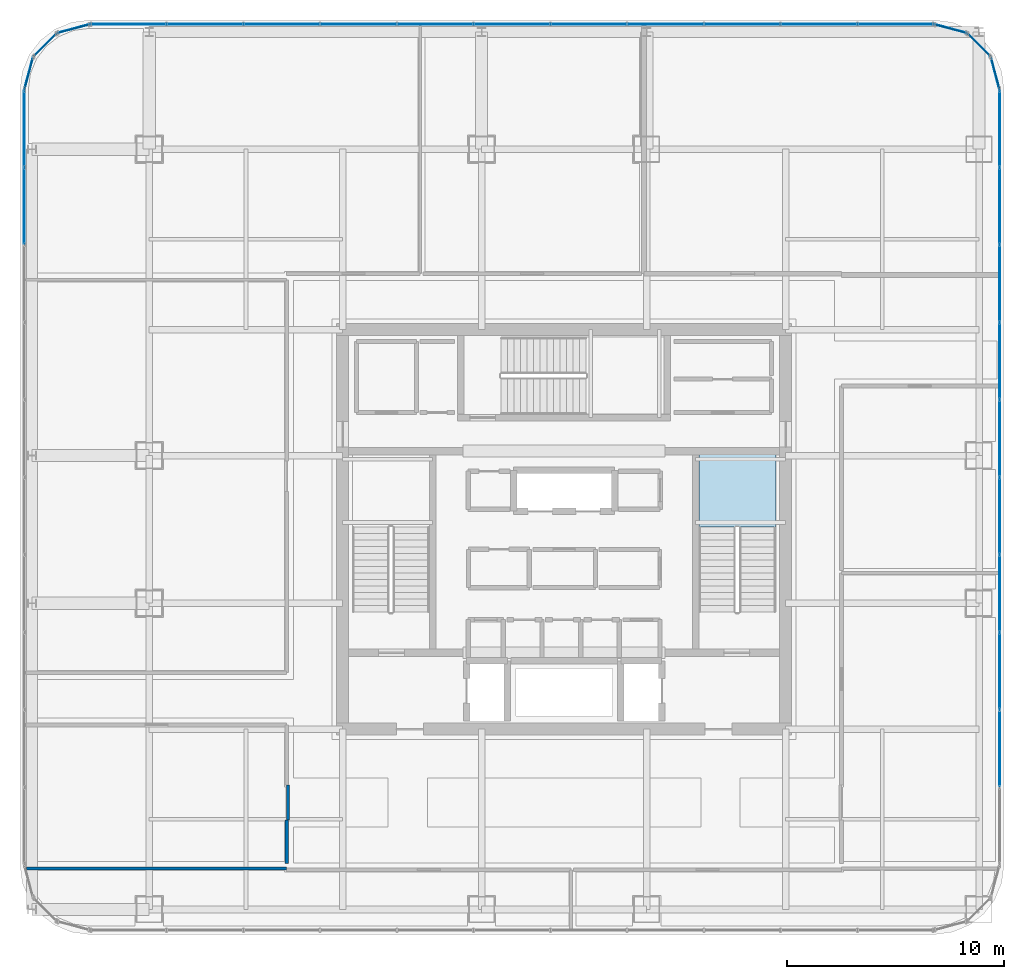
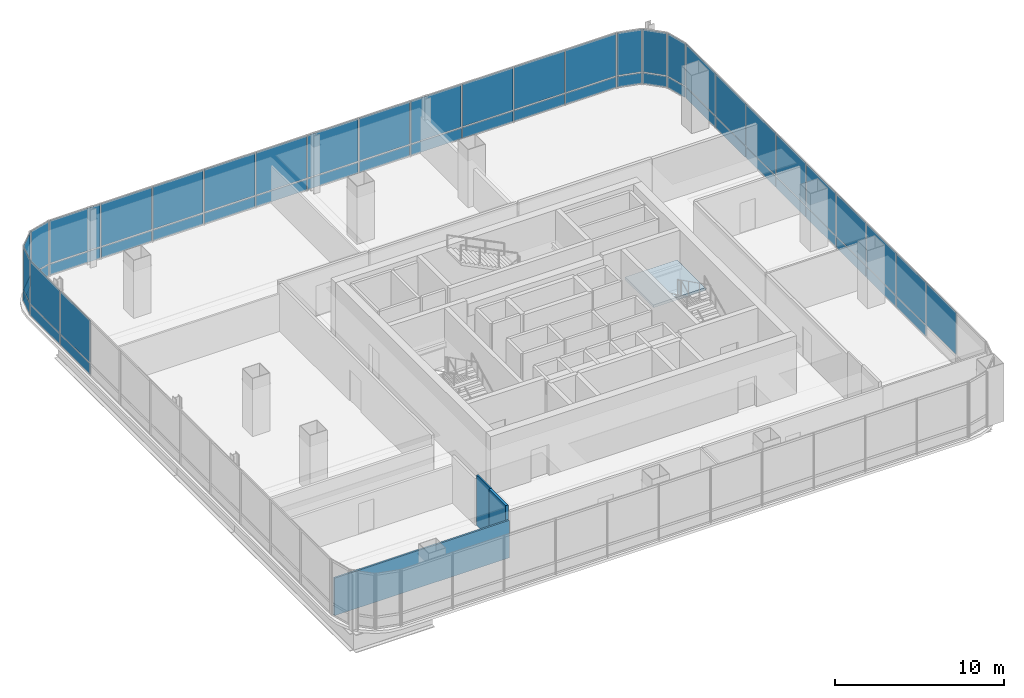
# One storey, part 33 of 41: 55 plates, 3 walls, 1 slab, 10 elements without a shape of their own.
"""IFC4 building model written with IfcOpenShell, lengths in metres."""

from ifc_helpers import new_model, si_unit, direction, frame, frame_2d, origin, origin_2d, place, context, subcontext, project, spatial, polyline, rectangle, outline, extrude, material, layer, layer_set, type_object, element, aggregate, save


model = new_model("IFC4")

# Units and contexts
model_context = context("Model", 3, precision=1e-05, world=origin(), true_north=direction((0.0, 1.0)))
body_context = subcontext(model_context, "Body", "Model", "MODEL_VIEW")
ifc_project = project(units=[si_unit("LENGTHUNIT", "METRE"), si_unit("AREAUNIT", "SQUARE_METRE"), si_unit("VOLUMEUNIT", "CUBIC_METRE"), si_unit("PLANEANGLEUNIT", "RADIAN"), si_unit("MASSUNIT", "GRAM", prefix="KILO")], contexts=[model_context])

# Site, building, storey
site_placement = place(None, origin())
site = spatial("IfcSite", under=ifc_project, at=site_placement, CompositionType="ELEMENT")
building_placement = place(site_placement, origin())
building = spatial("IfcBuilding", under=site, at=building_placement, Name="Punatoya Terracotta Tower", CompositionType="ELEMENT")
storey_placement = place(building_placement, frame((0.0, 0.0, 288.0)))
storey = spatial("IfcBuildingStorey", under=building, at=storey_placement, Name="L68", CompositionType="ELEMENT", Elevation=288.0)

# Curtain wall, plates
ifc_material_1 = material(Name="Aluminium 6063-T6 + Double Low-E Glass", Category="aluminium")
curtain_wall_type = type_object("IfcCurtainWallType", Name="CW-M3", PredefinedType="NOTDEFINED", material=ifc_material_1)
curtain_wall_1_placement = place(storey_placement, origin())
curtain_wall_1 = element("IfcCurtainWall", 1, at=curtain_wall_1_placement, inside=storey, type_object=curtain_wall_type, Name="L68 Curtain Wall CW-L68-E05-1", PredefinedType="NOTDEFINED")
ifc_material_2 = material(Name="Double Low-E Acoustic Vision Glass", Category="glass")
ifc_layer_1 = layer(ifc_material_2, 0.031982421875)
ifc_layer_set_1 = layer_set([ifc_layer_1], Name="Double Low-E Acoustic Vision Glass")
plate_type_1 = type_object("IfcPlateType", Name="PLT-GLZ-32", PredefinedType="CURTAIN_PANEL", material=ifc_layer_set_1)
plate_1_placement = place(storey_placement, frame((20.050048828125, -10.085693359375, 0.89013671875), z_axis=(0.0, 0.0, 1.0), x_axis=(0.0, 1.0, 0.0)))
plate_1 = element("IfcPlate", 2, at=plate_1_placement, type_object=plate_type_1, Name="CW-L68-E05-1 Vision Glass Panel 2", PredefinedType="CURTAIN_PANEL", context=body_context, shape_type="SweptSolid", body=[
    extrude(rectangle(XDim=3.482421875, YDim=0.031982421875, at=origin_2d()), origin(), (0.0, 0.0, 1.0), 3.070068359375),
])
plate_2_placement = place(storey_placement, frame((20.050048828125, -6.518310546875, 0.89013671875), z_axis=(0.0, 0.0, 1.0), x_axis=(0.0, 1.0, 0.0)))
plate_2 = element("IfcPlate", 3, at=plate_2_placement, type_object=plate_type_1, Name="CW-L68-E05-1 Vision Glass Panel 3", PredefinedType="CURTAIN_PANEL", context=body_context, shape_type="SweptSolid", body=[
    extrude(rectangle(XDim=3.482421875, YDim=0.031982421875, at=origin_2d()), origin(), (0.0, 0.0, 1.0), 3.070068359375),
])
plate_3_placement = place(storey_placement, frame((20.050048828125, -2.951171875, 0.89013671875), z_axis=(0.0, 0.0, 1.0), x_axis=(0.0, 1.0, 0.0)))
plate_3 = element("IfcPlate", 4, at=plate_3_placement, type_object=plate_type_1, Name="CW-L68-E05-1 Vision Glass Panel 4", PredefinedType="CURTAIN_PANEL", context=body_context, shape_type="SweptSolid", body=[
    extrude(rectangle(XDim=3.482421875, YDim=0.031982421875, at=origin_2d()), origin(), (0.0, 0.0, 1.0), 3.070068359375),
])
plate_4_placement = place(storey_placement, frame((20.050048828125, 0.6162109375, 0.89013671875), z_axis=(0.0, 0.0, 1.0), x_axis=(0.0, 1.0, 0.0)))
plate_4 = element("IfcPlate", 5, at=plate_4_placement, type_object=plate_type_1, Name="CW-L68-E05-1 Vision Glass Panel 5", PredefinedType="CURTAIN_PANEL", context=body_context, shape_type="SweptSolid", body=[
    extrude(rectangle(XDim=3.482421875, YDim=0.031982421875, at=origin_2d()), origin(), (0.0, 0.0, 1.0), 3.070068359375),
])
plate_5_placement = place(storey_placement, frame((20.050048828125, 4.18359375, 0.89013671875), z_axis=(0.0, 0.0, 1.0), x_axis=(0.0, 1.0, 0.0)))
plate_5 = element("IfcPlate", 6, at=plate_5_placement, type_object=plate_type_1, Name="CW-L68-E05-1 Vision Glass Panel 6", PredefinedType="CURTAIN_PANEL", context=body_context, shape_type="SweptSolid", body=[
    extrude(rectangle(XDim=3.482421875, YDim=0.031982421875, at=origin_2d()), origin(), (0.0, 0.0, 1.0), 3.070068359375),
])
plate_6_placement = place(storey_placement, frame((20.050048828125, 7.751220703125, 0.89013671875), z_axis=(0.0, 0.0, 1.0), x_axis=(0.0, 1.0, 0.0)))
plate_6 = element("IfcPlate", 7, at=plate_6_placement, type_object=plate_type_1, Name="CW-L68-E05-1 Vision Glass Panel 7", PredefinedType="CURTAIN_PANEL", context=body_context, shape_type="SweptSolid", body=[
    extrude(rectangle(XDim=3.482421875, YDim=0.031982421875, at=origin_2d()), origin(), (0.0, 0.0, 1.0), 3.070068359375),
])
plate_7_placement = place(storey_placement, frame((20.050048828125, 11.318359375, 0.89013671875), z_axis=(0.0, 0.0, 1.0), x_axis=(0.0, 1.0, 0.0)))
plate_7 = element("IfcPlate", 8, at=plate_7_placement, type_object=plate_type_1, Name="CW-L68-E05-1 Vision Glass Panel 8", PredefinedType="CURTAIN_PANEL", context=body_context, shape_type="SweptSolid", body=[
    extrude(rectangle(XDim=3.482421875, YDim=0.031982421875, at=origin_2d()), origin(), (0.0, 0.0, 1.0), 3.070068359375),
])
plate_8_placement = place(storey_placement, frame((20.050048828125, 14.8857421875, 0.89013671875), z_axis=(0.0, 0.0, 1.0), x_axis=(0.0, 1.0, 0.0)))
plate_8 = element("IfcPlate", 9, at=plate_8_placement, type_object=plate_type_1, Name="CW-L68-E05-1 Vision Glass Panel 9", PredefinedType="CURTAIN_PANEL", context=body_context, shape_type="SweptSolid", body=[
    extrude(rectangle(XDim=3.482421875, YDim=0.031982421875, at=origin_2d()), origin(), (0.0, 0.0, 1.0), 3.070068359375),
])
plate_9_placement = place(storey_placement, frame((20.050048828125, 18.453125, 0.89013671875), z_axis=(0.0, 0.0, 1.0), x_axis=(0.0, 1.0, 0.0)))
plate_9 = element("IfcPlate", 10, at=plate_9_placement, type_object=plate_type_1, Name="CW-L68-E05-1 Vision Glass Panel 10", PredefinedType="CURTAIN_PANEL", context=body_context, shape_type="SweptSolid", body=[
    extrude(rectangle(XDim=3.482421875, YDim=0.031982421875, at=origin_2d()), origin(), (0.0, 0.0, 1.0), 3.070068359375),
])

# Curtain wall, plate
curtain_wall_2_placement = place(storey_placement, origin())
curtain_wall_2 = element("IfcCurtainWall", 11, at=curtain_wall_2_placement, inside=storey, type_object=curtain_wall_type, Name="L68 Curtain Wall CW-L68-CRN06", PredefinedType="NOTDEFINED")
plate_10_placement = place(storey_placement, frame((19.848388671875, 20.992919921875, 0.89013671875), z_axis=(0.0, 0.0, 1.0), x_axis=(-0.257741620719, 0.966213877436, 0.0)))
plate_10 = element("IfcPlate", 12, at=plate_10_placement, type_object=plate_type_1, Name="CW-L68-CRN06 Vision Glass Panel 1", PredefinedType="CURTAIN_PANEL", context=body_context, shape_type="SweptSolid", body=[
    extrude(rectangle(XDim=1.47998046875, YDim=0.031982421875, at=origin_2d()), origin(), (0.0, 0.0, 1.0), 3.070068359375),
])

curtain_wall_3_placement = place(storey_placement, origin())
curtain_wall_3 = element("IfcCurtainWall", 13, at=curtain_wall_3_placement, inside=storey, type_object=curtain_wall_type, Name="L68 Curtain Wall CW-L68-CRN07", PredefinedType="NOTDEFINED")
plate_11_placement = place(storey_placement, frame((19.097900390625, 22.2978515625, 0.89013671875), z_axis=(0.0, 0.0, 1.0), x_axis=(-0.707106781187, 0.707106781187, 0.0)))
plate_11 = element("IfcPlate", 14, at=plate_11_placement, type_object=plate_type_1, Name="CW-L68-CRN07 Vision Glass Panel 1", PredefinedType="CURTAIN_PANEL", context=body_context, shape_type="SweptSolid", body=[
    extrude(rectangle(XDim=1.467041015625, YDim=0.031982421875, at=origin_2d()), origin(), (0.0, 0.0, 1.0), 3.070068359375),
])

curtain_wall_4_placement = place(storey_placement, origin())
curtain_wall_4 = element("IfcCurtainWall", 15, at=curtain_wall_4_placement, inside=storey, type_object=curtain_wall_type, Name="L68 Curtain Wall CW-L68-CRN08", PredefinedType="NOTDEFINED")
plate_12_placement = place(storey_placement, frame((17.79296875, 23.04833984375, 0.89013671875), z_axis=(0.0, 0.0, 1.0), x_axis=(-0.966213877436, 0.257741620719, 0.0)))
plate_12 = element("IfcPlate", 16, at=plate_12_placement, type_object=plate_type_1, Name="CW-L68-CRN08 Vision Glass Panel 1", PredefinedType="CURTAIN_PANEL", context=body_context, shape_type="SweptSolid", body=[
    extrude(rectangle(XDim=1.47998046875, YDim=0.031982421875, at=origin_2d()), origin(), (0.0, 0.0, 1.0), 3.070068359375),
])

# Curtain wall, plates
curtain_wall_5_placement = place(storey_placement, origin())
curtain_wall_5 = element("IfcCurtainWall", 17, at=curtain_wall_5_placement, inside=storey, type_object=curtain_wall_type, Name="L68 Curtain Wall CW-L68-N09-1", PredefinedType="NOTDEFINED")
plate_13_placement = place(storey_placement, frame((15.27001953125, 23.25, 0.89013671875), z_axis=(0.0, 0.0, 1.0), x_axis=(-1.0, 0.0, 0.0)))
plate_13 = element("IfcPlate", 18, at=plate_13_placement, type_object=plate_type_1, Name="CW-L68-N09-1 Vision Glass Panel 1", PredefinedType="CURTAIN_PANEL", context=body_context, shape_type="SweptSolid", body=[
    extrude(rectangle(XDim=3.448974609375, YDim=0.031982421875, at=origin_2d()), origin(), (0.0, 0.0, 1.0), 3.070068359375),
])
plate_14_placement = place(storey_placement, frame((11.73583984375, 23.25, 0.89013671875), z_axis=(0.0, 0.0, 1.0), x_axis=(-1.0, 0.0, 0.0)))
plate_14 = element("IfcPlate", 19, at=plate_14_placement, type_object=plate_type_1, Name="CW-L68-N09-1 Vision Glass Panel 2", PredefinedType="CURTAIN_PANEL", context=body_context, shape_type="SweptSolid", body=[
    extrude(rectangle(XDim=3.448974609375, YDim=0.031982421875, at=origin_2d()), origin(), (0.0, 0.0, 1.0), 3.070068359375),
])
plate_15_placement = place(storey_placement, frame((8.201904296875, 23.25, 0.89013671875), z_axis=(0.0, 0.0, 1.0), x_axis=(-1.0, 0.0, 0.0)))
plate_15 = element("IfcPlate", 20, at=plate_15_placement, type_object=plate_type_1, Name="CW-L68-N09-1 Vision Glass Panel 3", PredefinedType="CURTAIN_PANEL", context=body_context, shape_type="SweptSolid", body=[
    extrude(rectangle(XDim=3.448974609375, YDim=0.031982421875, at=origin_2d()), origin(), (0.0, 0.0, 1.0), 3.070068359375),
])
plate_16_placement = place(storey_placement, frame((4.66796875, 23.25, 0.89013671875), z_axis=(0.0, 0.0, 1.0), x_axis=(-1.0, 0.0, 0.0)))
plate_16 = element("IfcPlate", 21, at=plate_16_placement, type_object=plate_type_1, Name="CW-L68-N09-1 Vision Glass Panel 4", PredefinedType="CURTAIN_PANEL", context=body_context, shape_type="SweptSolid", body=[
    extrude(rectangle(XDim=3.448974609375, YDim=0.031982421875, at=origin_2d()), origin(), (0.0, 0.0, 1.0), 3.070068359375),
])
plate_17_placement = place(storey_placement, frame((1.134033203125, 23.25, 0.89013671875), z_axis=(0.0, 0.0, 1.0), x_axis=(-1.0, 0.0, 0.0)))
plate_17 = element("IfcPlate", 22, at=plate_17_placement, type_object=plate_type_1, Name="CW-L68-N09-1 Vision Glass Panel 5", PredefinedType="CURTAIN_PANEL", context=body_context, shape_type="SweptSolid", body=[
    extrude(rectangle(XDim=3.448974609375, YDim=0.031982421875, at=origin_2d()), origin(), (0.0, 0.0, 1.0), 3.070068359375),
])
plate_18_placement = place(storey_placement, frame((-2.39990234375, 23.25, 0.89013671875), z_axis=(0.0, 0.0, 1.0), x_axis=(-1.0, 0.0, 0.0)))
plate_18 = element("IfcPlate", 23, at=plate_18_placement, type_object=plate_type_1, Name="CW-L68-N09-1 Vision Glass Panel 6", PredefinedType="CURTAIN_PANEL", context=body_context, shape_type="SweptSolid", body=[
    extrude(rectangle(XDim=3.448974609375, YDim=0.031982421875, at=origin_2d()), origin(), (0.0, 0.0, 1.0), 3.070068359375),
])
plate_19_placement = place(storey_placement, frame((-5.93408203125, 23.25, 0.89013671875), z_axis=(0.0, 0.0, 1.0), x_axis=(-1.0, 0.0, 0.0)))
plate_19 = element("IfcPlate", 24, at=plate_19_placement, type_object=plate_type_1, Name="CW-L68-N09-1 Vision Glass Panel 7", PredefinedType="CURTAIN_PANEL", context=body_context, shape_type="SweptSolid", body=[
    extrude(rectangle(XDim=3.448974609375, YDim=0.031982421875, at=origin_2d()), origin(), (0.0, 0.0, 1.0), 3.070068359375),
])
plate_20_placement = place(storey_placement, frame((-9.468017578125, 23.25, 0.89013671875), z_axis=(0.0, 0.0, 1.0), x_axis=(-1.0, 0.0, 0.0)))
plate_20 = element("IfcPlate", 25, at=plate_20_placement, type_object=plate_type_1, Name="CW-L68-N09-1 Vision Glass Panel 8", PredefinedType="CURTAIN_PANEL", context=body_context, shape_type="SweptSolid", body=[
    extrude(rectangle(XDim=3.448974609375, YDim=0.031982421875, at=origin_2d()), origin(), (0.0, 0.0, 1.0), 3.070068359375),
])
plate_21_placement = place(storey_placement, frame((-13.001953125, 23.25, 0.89013671875), z_axis=(0.0, 0.0, 1.0), x_axis=(-1.0, 0.0, 0.0)))
plate_21 = element("IfcPlate", 26, at=plate_21_placement, type_object=plate_type_1, Name="CW-L68-N09-1 Vision Glass Panel 9", PredefinedType="CURTAIN_PANEL", context=body_context, shape_type="SweptSolid", body=[
    extrude(rectangle(XDim=3.448974609375, YDim=0.031982421875, at=origin_2d()), origin(), (0.0, 0.0, 1.0), 3.070068359375),
])
plate_22_placement = place(storey_placement, frame((-16.535888671875, 23.25, 0.89013671875), z_axis=(0.0, 0.0, 1.0), x_axis=(-1.0, 0.0, 0.0)))
plate_22 = element("IfcPlate", 27, at=plate_22_placement, type_object=plate_type_1, Name="CW-L68-N09-1 Vision Glass Panel 10", PredefinedType="CURTAIN_PANEL", context=body_context, shape_type="SweptSolid", body=[
    extrude(rectangle(XDim=3.448974609375, YDim=0.031982421875, at=origin_2d()), origin(), (0.0, 0.0, 1.0), 3.070068359375),
])
plate_23_placement = place(storey_placement, frame((-20.06982421875, 23.25, 0.89013671875), z_axis=(0.0, 0.0, 1.0), x_axis=(-1.0, 0.0, 0.0)))
plate_23 = element("IfcPlate", 28, at=plate_23_placement, type_object=plate_type_1, Name="CW-L68-N09-1 Vision Glass Panel 11", PredefinedType="CURTAIN_PANEL", context=body_context, shape_type="SweptSolid", body=[
    extrude(rectangle(XDim=3.448974609375, YDim=0.031982421875, at=origin_2d()), origin(), (0.0, 0.0, 1.0), 3.070068359375),
])

# Curtain wall, plate
curtain_wall_6_placement = place(storey_placement, origin())
curtain_wall_6 = element("IfcCurtainWall", 29, at=curtain_wall_6_placement, inside=storey, type_object=curtain_wall_type, Name="L68 Curtain Wall CW-L68-CRN10", PredefinedType="NOTDEFINED")
plate_24_placement = place(storey_placement, frame((-22.593017578125, 23.04833984375, 0.89013671875), z_axis=(0.0, 0.0, 1.0), x_axis=(-0.966213877436, -0.257741620719, 0.0)))
plate_24 = element("IfcPlate", 30, at=plate_24_placement, type_object=plate_type_1, Name="CW-L68-CRN10 Vision Glass Panel 1", PredefinedType="CURTAIN_PANEL", context=body_context, shape_type="SweptSolid", body=[
    extrude(rectangle(XDim=1.47998046875, YDim=0.031982421875, at=origin_2d()), origin(), (0.0, 0.0, 1.0), 3.070068359375),
])

curtain_wall_7_placement = place(storey_placement, origin())
curtain_wall_7 = element("IfcCurtainWall", 31, at=curtain_wall_7_placement, inside=storey, type_object=curtain_wall_type, Name="L68 Curtain Wall CW-L68-CRN11", PredefinedType="NOTDEFINED")
plate_25_placement = place(storey_placement, frame((-23.89794921875, 22.2978515625, 0.89013671875), z_axis=(0.0, 0.0, 1.0), x_axis=(-0.707106781187, -0.707106781187, 0.0)))
plate_25 = element("IfcPlate", 32, at=plate_25_placement, type_object=plate_type_1, Name="CW-L68-CRN11 Vision Glass Panel 1", PredefinedType="CURTAIN_PANEL", context=body_context, shape_type="SweptSolid", body=[
    extrude(rectangle(XDim=1.467041015625, YDim=0.031982421875, at=origin_2d()), origin(), (0.0, 0.0, 1.0), 3.070068359375),
])

curtain_wall_8_placement = place(storey_placement, origin())
curtain_wall_8 = element("IfcCurtainWall", 33, at=curtain_wall_8_placement, inside=storey, type_object=curtain_wall_type, Name="L68 Curtain Wall CW-L68-CRN12", PredefinedType="NOTDEFINED")
plate_26_placement = place(storey_placement, frame((-24.648193359375, 20.992919921875, 0.89013671875), z_axis=(0.0, 0.0, 1.0), x_axis=(-0.257741620719, -0.966213877436, 0.0)))
plate_26 = element("IfcPlate", 34, at=plate_26_placement, type_object=plate_type_1, Name="CW-L68-CRN12 Vision Glass Panel 1", PredefinedType="CURTAIN_PANEL", context=body_context, shape_type="SweptSolid", body=[
    extrude(rectangle(XDim=1.47998046875, YDim=0.031982421875, at=origin_2d()), origin(), (0.0, 0.0, 1.0), 3.070068359375),
])

# Curtain wall, plates
curtain_wall_9_placement = place(storey_placement, origin())
curtain_wall_9 = element("IfcCurtainWall", 35, at=curtain_wall_9_placement, inside=storey, type_object=curtain_wall_type, Name="L68 Curtain Wall CW-L68-W13-1", PredefinedType="NOTDEFINED")
plate_27_placement = place(storey_placement, frame((-24.85009765625, 18.453125, 0.89013671875), z_axis=(0.0, 0.0, 1.0), x_axis=(0.0, -1.0, 0.0)))
plate_27 = element("IfcPlate", 36, at=plate_27_placement, type_object=plate_type_1, Name="CW-L68-W13-1 Vision Glass Panel 1", PredefinedType="CURTAIN_PANEL", context=body_context, shape_type="SweptSolid", body=[
    extrude(rectangle(XDim=3.482421875, YDim=0.031982421875, at=origin_2d()), origin(), (0.0, 0.0, 1.0), 3.070068359375),
])
plate_28_placement = place(storey_placement, frame((-24.85009765625, 14.8857421875, 0.89013671875), z_axis=(0.0, 0.0, 1.0), x_axis=(0.0, -1.0, 0.0)))
plate_28 = element("IfcPlate", 37, at=plate_28_placement, type_object=plate_type_1, Name="CW-L68-W13-1 Vision Glass Panel 2", PredefinedType="CURTAIN_PANEL", context=body_context, shape_type="SweptSolid", body=[
    extrude(rectangle(XDim=3.482421875, YDim=0.031982421875, at=origin_2d()), origin(), (0.0, 0.0, 1.0), 3.070068359375),
])

# Plate
ifc_material_3 = material(Name="Insulated Terracotta-Backed Spandrel Panel", Category="masonry")
ifc_layer_2 = layer(ifc_material_3, 0.044921875)
ifc_layer_set_2 = layer_set([ifc_layer_2], Name="Insulated Terracotta-Backed Spandrel Panel")
plate_type_2 = type_object("IfcPlateType", Name="PLT-SPN-45", PredefinedType="CURTAIN_PANEL", material=ifc_layer_set_2)
plate_29_placement = place(storey_placement, frame((20.050048828125, -6.518310546875, 0.0400390625), z_axis=(0.0, 0.0, 1.0), x_axis=(0.0, 1.0, 0.0)))
plate_29 = element("IfcPlate", 38, at=plate_29_placement, type_object=plate_type_2, Name="CW-L68-E05-1 Terracotta Spandrel Panel 3", PredefinedType="CURTAIN_PANEL", context=body_context, shape_type="SweptSolid", body=[
    extrude(rectangle(XDim=3.482421875, YDim=0.044921875, at=origin_2d()), origin(), (0.0, 0.0, 1.0), 0.77490234375),
])

plate_30_placement = place(storey_placement, frame((20.050048828125, -2.951171875, 0.0400390625), z_axis=(0.0, 0.0, 1.0), x_axis=(0.0, 1.0, 0.0)))
plate_30 = element("IfcPlate", 39, at=plate_30_placement, type_object=plate_type_2, Name="CW-L68-E05-1 Terracotta Spandrel Panel 4", PredefinedType="CURTAIN_PANEL", context=body_context, shape_type="SweptSolid", body=[
    extrude(rectangle(XDim=3.482421875, YDim=0.044921875, at=origin_2d()), origin(), (0.0, 0.0, 1.0), 0.77490234375),
])

plate_31_placement = place(storey_placement, frame((20.050048828125, 0.6162109375, 0.0400390625), z_axis=(0.0, 0.0, 1.0), x_axis=(0.0, 1.0, 0.0)))
plate_31 = element("IfcPlate", 40, at=plate_31_placement, type_object=plate_type_2, Name="CW-L68-E05-1 Terracotta Spandrel Panel 5", PredefinedType="CURTAIN_PANEL", context=body_context, shape_type="SweptSolid", body=[
    extrude(rectangle(XDim=3.482421875, YDim=0.044921875, at=origin_2d()), origin(), (0.0, 0.0, 1.0), 0.77490234375),
])

plate_32_placement = place(storey_placement, frame((20.050048828125, 4.18359375, 0.0400390625), z_axis=(0.0, 0.0, 1.0), x_axis=(0.0, 1.0, 0.0)))
plate_32 = element("IfcPlate", 41, at=plate_32_placement, type_object=plate_type_2, Name="CW-L68-E05-1 Terracotta Spandrel Panel 6", PredefinedType="CURTAIN_PANEL", context=body_context, shape_type="SweptSolid", body=[
    extrude(rectangle(XDim=3.482421875, YDim=0.044921875, at=origin_2d()), origin(), (0.0, 0.0, 1.0), 0.77490234375),
])

plate_33_placement = place(storey_placement, frame((20.050048828125, 7.751220703125, 0.0400390625), z_axis=(0.0, 0.0, 1.0), x_axis=(0.0, 1.0, 0.0)))
plate_33 = element("IfcPlate", 42, at=plate_33_placement, type_object=plate_type_2, Name="CW-L68-E05-1 Terracotta Spandrel Panel 7", PredefinedType="CURTAIN_PANEL", context=body_context, shape_type="SweptSolid", body=[
    extrude(rectangle(XDim=3.482421875, YDim=0.044921875, at=origin_2d()), origin(), (0.0, 0.0, 1.0), 0.77490234375),
])

plate_34_placement = place(storey_placement, frame((20.050048828125, 11.318359375, 0.0400390625), z_axis=(0.0, 0.0, 1.0), x_axis=(0.0, 1.0, 0.0)))
plate_34 = element("IfcPlate", 43, at=plate_34_placement, type_object=plate_type_2, Name="CW-L68-E05-1 Terracotta Spandrel Panel 8", PredefinedType="CURTAIN_PANEL", context=body_context, shape_type="SweptSolid", body=[
    extrude(rectangle(XDim=3.482421875, YDim=0.044921875, at=origin_2d()), origin(), (0.0, 0.0, 1.0), 0.77490234375),
])

plate_35_placement = place(storey_placement, frame((20.050048828125, 14.8857421875, 0.0400390625), z_axis=(0.0, 0.0, 1.0), x_axis=(0.0, 1.0, 0.0)))
plate_35 = element("IfcPlate", 44, at=plate_35_placement, type_object=plate_type_2, Name="CW-L68-E05-1 Terracotta Spandrel Panel 9", PredefinedType="CURTAIN_PANEL", context=body_context, shape_type="SweptSolid", body=[
    extrude(rectangle(XDim=3.482421875, YDim=0.044921875, at=origin_2d()), origin(), (0.0, 0.0, 1.0), 0.77490234375),
])

plate_36_placement = place(storey_placement, frame((20.050048828125, 18.453125, 0.0400390625), z_axis=(0.0, 0.0, 1.0), x_axis=(0.0, 1.0, 0.0)))
plate_36 = element("IfcPlate", 45, at=plate_36_placement, type_object=plate_type_2, Name="CW-L68-E05-1 Terracotta Spandrel Panel 10", PredefinedType="CURTAIN_PANEL", context=body_context, shape_type="SweptSolid", body=[
    extrude(rectangle(XDim=3.482421875, YDim=0.044921875, at=origin_2d()), origin(), (0.0, 0.0, 1.0), 0.77490234375),
])

aggregate(curtain_wall_1, [plate_1, plate_29, plate_2, plate_30, plate_3, plate_31, plate_4, plate_32, plate_5, plate_33, plate_6, plate_34, plate_7, plate_35, plate_8, plate_36, plate_9])

plate_37_placement = place(storey_placement, frame((19.848388671875, 20.992919921875, 0.0400390625), z_axis=(0.0, 0.0, 1.0), x_axis=(-0.257741620719, 0.966213877436, 0.0)))
plate_37 = element("IfcPlate", 46, at=plate_37_placement, type_object=plate_type_2, Name="CW-L68-CRN06 Terracotta Spandrel Panel 1", PredefinedType="CURTAIN_PANEL", context=body_context, shape_type="SweptSolid", body=[
    extrude(rectangle(XDim=1.47998046875, YDim=0.044921875, at=origin_2d()), origin(), (0.0, 0.0, 1.0), 0.77490234375),
])

aggregate(curtain_wall_2, [plate_37, plate_10])

plate_38_placement = place(storey_placement, frame((19.097900390625, 22.2978515625, 0.0400390625), z_axis=(0.0, 0.0, 1.0), x_axis=(-0.707106781187, 0.707106781187, 0.0)))
plate_38 = element("IfcPlate", 47, at=plate_38_placement, type_object=plate_type_2, Name="CW-L68-CRN07 Terracotta Spandrel Panel 1", PredefinedType="CURTAIN_PANEL", context=body_context, shape_type="SweptSolid", body=[
    extrude(rectangle(XDim=1.467041015625, YDim=0.044921875, at=origin_2d()), origin(), (0.0, 0.0, 1.0), 0.77490234375),
])

aggregate(curtain_wall_3, [plate_38, plate_11])

plate_39_placement = place(storey_placement, frame((17.79296875, 23.04833984375, 0.0400390625), z_axis=(0.0, 0.0, 1.0), x_axis=(-0.966213877436, 0.257741620719, 0.0)))
plate_39 = element("IfcPlate", 48, at=plate_39_placement, type_object=plate_type_2, Name="CW-L68-CRN08 Terracotta Spandrel Panel 1", PredefinedType="CURTAIN_PANEL", context=body_context, shape_type="SweptSolid", body=[
    extrude(rectangle(XDim=1.47998046875, YDim=0.044921875, at=origin_2d()), origin(), (0.0, 0.0, 1.0), 0.77490234375),
])

aggregate(curtain_wall_4, [plate_39, plate_12])

plate_40_placement = place(storey_placement, frame((15.27001953125, 23.25, 0.0400390625), z_axis=(0.0, 0.0, 1.0), x_axis=(-1.0, 0.0, 0.0)))
plate_40 = element("IfcPlate", 49, at=plate_40_placement, type_object=plate_type_2, Name="CW-L68-N09-1 Terracotta Spandrel Panel 1", PredefinedType="CURTAIN_PANEL", context=body_context, shape_type="SweptSolid", body=[
    extrude(rectangle(XDim=3.448974609375, YDim=0.044921875, at=origin_2d()), origin(), (0.0, 0.0, 1.0), 0.77490234375),
])

plate_41_placement = place(storey_placement, frame((11.73583984375, 23.25, 0.0400390625), z_axis=(0.0, 0.0, 1.0), x_axis=(-1.0, 0.0, 0.0)))
plate_41 = element("IfcPlate", 50, at=plate_41_placement, type_object=plate_type_2, Name="CW-L68-N09-1 Terracotta Spandrel Panel 2", PredefinedType="CURTAIN_PANEL", context=body_context, shape_type="SweptSolid", body=[
    extrude(rectangle(XDim=3.448974609375, YDim=0.044921875, at=origin_2d()), origin(), (0.0, 0.0, 1.0), 0.77490234375),
])

plate_42_placement = place(storey_placement, frame((8.201904296875, 23.25, 0.0400390625), z_axis=(0.0, 0.0, 1.0), x_axis=(-1.0, 0.0, 0.0)))
plate_42 = element("IfcPlate", 51, at=plate_42_placement, type_object=plate_type_2, Name="CW-L68-N09-1 Terracotta Spandrel Panel 3", PredefinedType="CURTAIN_PANEL", context=body_context, shape_type="SweptSolid", body=[
    extrude(rectangle(XDim=3.448974609375, YDim=0.044921875, at=origin_2d()), origin(), (0.0, 0.0, 1.0), 0.77490234375),
])

plate_43_placement = place(storey_placement, frame((4.66796875, 23.25, 0.0400390625), z_axis=(0.0, 0.0, 1.0), x_axis=(-1.0, 0.0, 0.0)))
plate_43 = element("IfcPlate", 52, at=plate_43_placement, type_object=plate_type_2, Name="CW-L68-N09-1 Terracotta Spandrel Panel 4", PredefinedType="CURTAIN_PANEL", context=body_context, shape_type="SweptSolid", body=[
    extrude(rectangle(XDim=3.448974609375, YDim=0.044921875, at=origin_2d()), origin(), (0.0, 0.0, 1.0), 0.77490234375),
])

plate_44_placement = place(storey_placement, frame((1.134033203125, 23.25, 0.0400390625), z_axis=(0.0, 0.0, 1.0), x_axis=(-1.0, 0.0, 0.0)))
plate_44 = element("IfcPlate", 53, at=plate_44_placement, type_object=plate_type_2, Name="CW-L68-N09-1 Terracotta Spandrel Panel 5", PredefinedType="CURTAIN_PANEL", context=body_context, shape_type="SweptSolid", body=[
    extrude(rectangle(XDim=3.448974609375, YDim=0.044921875, at=origin_2d()), origin(), (0.0, 0.0, 1.0), 0.77490234375),
])

plate_45_placement = place(storey_placement, frame((-2.39990234375, 23.25, 0.0400390625), z_axis=(0.0, 0.0, 1.0), x_axis=(-1.0, 0.0, 0.0)))
plate_45 = element("IfcPlate", 54, at=plate_45_placement, type_object=plate_type_2, Name="CW-L68-N09-1 Terracotta Spandrel Panel 6", PredefinedType="CURTAIN_PANEL", context=body_context, shape_type="SweptSolid", body=[
    extrude(rectangle(XDim=3.448974609375, YDim=0.044921875, at=origin_2d()), origin(), (0.0, 0.0, 1.0), 0.77490234375),
])

plate_46_placement = place(storey_placement, frame((-5.93408203125, 23.25, 0.0400390625), z_axis=(0.0, 0.0, 1.0), x_axis=(-1.0, 0.0, 0.0)))
plate_46 = element("IfcPlate", 55, at=plate_46_placement, type_object=plate_type_2, Name="CW-L68-N09-1 Terracotta Spandrel Panel 7", PredefinedType="CURTAIN_PANEL", context=body_context, shape_type="SweptSolid", body=[
    extrude(rectangle(XDim=3.448974609375, YDim=0.044921875, at=origin_2d()), origin(), (0.0, 0.0, 1.0), 0.77490234375),
])

plate_47_placement = place(storey_placement, frame((-9.468017578125, 23.25, 0.0400390625), z_axis=(0.0, 0.0, 1.0), x_axis=(-1.0, 0.0, 0.0)))
plate_47 = element("IfcPlate", 56, at=plate_47_placement, type_object=plate_type_2, Name="CW-L68-N09-1 Terracotta Spandrel Panel 8", PredefinedType="CURTAIN_PANEL", context=body_context, shape_type="SweptSolid", body=[
    extrude(rectangle(XDim=3.448974609375, YDim=0.044921875, at=origin_2d()), origin(), (0.0, 0.0, 1.0), 0.77490234375),
])

plate_48_placement = place(storey_placement, frame((-13.001953125, 23.25, 0.0400390625), z_axis=(0.0, 0.0, 1.0), x_axis=(-1.0, 0.0, 0.0)))
plate_48 = element("IfcPlate", 57, at=plate_48_placement, type_object=plate_type_2, Name="CW-L68-N09-1 Terracotta Spandrel Panel 9", PredefinedType="CURTAIN_PANEL", context=body_context, shape_type="SweptSolid", body=[
    extrude(rectangle(XDim=3.448974609375, YDim=0.044921875, at=origin_2d()), origin(), (0.0, 0.0, 1.0), 0.77490234375),
])

plate_49_placement = place(storey_placement, frame((-16.535888671875, 23.25, 0.0400390625), z_axis=(0.0, 0.0, 1.0), x_axis=(-1.0, 0.0, 0.0)))
plate_49 = element("IfcPlate", 58, at=plate_49_placement, type_object=plate_type_2, Name="CW-L68-N09-1 Terracotta Spandrel Panel 10", PredefinedType="CURTAIN_PANEL", context=body_context, shape_type="SweptSolid", body=[
    extrude(rectangle(XDim=3.448974609375, YDim=0.044921875, at=origin_2d()), origin(), (0.0, 0.0, 1.0), 0.77490234375),
])

plate_50_placement = place(storey_placement, frame((-20.06982421875, 23.25, 0.0400390625), z_axis=(0.0, 0.0, 1.0), x_axis=(-1.0, 0.0, 0.0)))
plate_50 = element("IfcPlate", 59, at=plate_50_placement, type_object=plate_type_2, Name="CW-L68-N09-1 Terracotta Spandrel Panel 11", PredefinedType="CURTAIN_PANEL", context=body_context, shape_type="SweptSolid", body=[
    extrude(rectangle(XDim=3.448974609375, YDim=0.044921875, at=origin_2d()), origin(), (0.0, 0.0, 1.0), 0.77490234375),
])

aggregate(curtain_wall_5, [plate_40, plate_13, plate_41, plate_14, plate_42, plate_15, plate_43, plate_16, plate_44, plate_17, plate_45, plate_18, plate_46, plate_19, plate_47, plate_20, plate_48, plate_21, plate_49, plate_22, plate_50, plate_23])

plate_51_placement = place(storey_placement, frame((-22.593017578125, 23.04833984375, 0.0400390625), z_axis=(0.0, 0.0, 1.0), x_axis=(-0.966213877436, -0.257741620719, 0.0)))
plate_51 = element("IfcPlate", 60, at=plate_51_placement, type_object=plate_type_2, Name="CW-L68-CRN10 Terracotta Spandrel Panel 1", PredefinedType="CURTAIN_PANEL", context=body_context, shape_type="SweptSolid", body=[
    extrude(rectangle(XDim=1.47998046875, YDim=0.044921875, at=origin_2d()), origin(), (0.0, 0.0, 1.0), 0.77490234375),
])

aggregate(curtain_wall_6, [plate_51, plate_24])

plate_52_placement = place(storey_placement, frame((-23.89794921875, 22.2978515625, 0.0400390625), z_axis=(0.0, 0.0, 1.0), x_axis=(-0.707106781187, -0.707106781187, 0.0)))
plate_52 = element("IfcPlate", 61, at=plate_52_placement, type_object=plate_type_2, Name="CW-L68-CRN11 Terracotta Spandrel Panel 1", PredefinedType="CURTAIN_PANEL", context=body_context, shape_type="SweptSolid", body=[
    extrude(rectangle(XDim=1.467041015625, YDim=0.044921875, at=origin_2d()), origin(), (0.0, 0.0, 1.0), 0.77490234375),
])

aggregate(curtain_wall_7, [plate_52, plate_25])

plate_53_placement = place(storey_placement, frame((-24.648193359375, 20.992919921875, 0.0400390625), z_axis=(0.0, 0.0, 1.0), x_axis=(-0.257741620719, -0.966213877436, 0.0)))
plate_53 = element("IfcPlate", 62, at=plate_53_placement, type_object=plate_type_2, Name="CW-L68-CRN12 Terracotta Spandrel Panel 1", PredefinedType="CURTAIN_PANEL", context=body_context, shape_type="SweptSolid", body=[
    extrude(rectangle(XDim=1.47998046875, YDim=0.044921875, at=origin_2d()), origin(), (0.0, 0.0, 1.0), 0.77490234375),
])

aggregate(curtain_wall_8, [plate_53, plate_26])

plate_54_placement = place(storey_placement, frame((-24.85009765625, 18.453125, 0.0400390625), z_axis=(0.0, 0.0, 1.0), x_axis=(0.0, -1.0, 0.0)))
plate_54 = element("IfcPlate", 63, at=plate_54_placement, type_object=plate_type_2, Name="CW-L68-W13-1 Terracotta Spandrel Panel 1", PredefinedType="CURTAIN_PANEL", context=body_context, shape_type="SweptSolid", body=[
    extrude(rectangle(XDim=3.482421875, YDim=0.044921875, at=origin_2d()), origin(), (0.0, 0.0, 1.0), 0.77490234375),
])

plate_55_placement = place(storey_placement, frame((-24.85009765625, 14.8857421875, 0.0400390625), z_axis=(0.0, 0.0, 1.0), x_axis=(0.0, -1.0, 0.0)))
plate_55 = element("IfcPlate", 64, at=plate_55_placement, type_object=plate_type_2, Name="CW-L68-W13-1 Terracotta Spandrel Panel 2", PredefinedType="CURTAIN_PANEL", context=body_context, shape_type="SweptSolid", body=[
    extrude(rectangle(XDim=3.482421875, YDim=0.044921875, at=origin_2d()), origin(), (0.0, 0.0, 1.0), 0.77490234375),
])

aggregate(curtain_wall_9, [plate_54, plate_27, plate_55, plate_28])

# Stair, slab
ifc_material_4 = material(Name="Concrete C40/50", Category="concrete")
stair_type = type_object("IfcStairType", Name="STR-LOB-1650", PredefinedType="HALF_TURN_STAIR", material=ifc_material_4)
stair_placement = place(storey_placement, origin())
stair = element("IfcStair", 65, at=stair_placement, inside=storey, type_object=stair_type, Name="L68 Protected Core Exit Stair ST-2", PredefinedType="HALF_TURN_STAIR")
ifc_layer_3 = layer(ifc_material_4, 0.179931640625)
ifc_layer_set_3 = layer_set([ifc_layer_3], Name="Concrete C40/50")
slab_type = type_object("IfcSlabType", Name="SLB-LND-180", PredefinedType="LANDING", material=ifc_layer_set_3)
slab_placement = place(storey_placement, frame((0.0, 0.0, 1.89990234375)))
slab = element("IfcSlab", 66, at=slab_placement, type_object=slab_type, Name="ST-2 landing 1", PredefinedType="LANDING", context=body_context, shape_type="SweptSolid", body=[
    extrude(outline(polyline([(9.75, 0.10009765625), (9.75, 3.449951171875), (6.199951171875, 3.449951171875), (6.199951171875, 0.10009765625), (9.75, 0.10009765625)])), origin(), (0.0, 0.0, 1.0), 0.2001953125),
])
aggregate(stair, [slab])

# Walls
ifc_material_5 = material(Name="Gypsum Fireboard + Steel Stud", Category="steel")
ifc_layer_4 = layer(ifc_material_5, 0.179931640625)
ifc_layer_set_4 = layer_set([ifc_layer_4], Name="Gypsum Fireboard + Steel Stud")
wall_type_1 = type_object("IfcWallType", Name="WL-CORR-180", PredefinedType="PARTITIONING", material=ifc_layer_set_4)
wall_1_placement = place(storey_placement, frame((-12.77001953125, -13.3798828125, 0.0), z_axis=(0.0, 0.0, 1.0), x_axis=(0.0, -1.0, 0.0)))
element("IfcWall", 67, at=wall_1_placement, inside=storey, type_object=wall_type_1, Name="L68 Materials Testing Laboratory Partition 47", PredefinedType="PARTITIONING", context=body_context, shape_type="SweptSolid", body=[
    extrude(rectangle(XDim=2.010009765625, YDim=0.179931640625, at=frame_2d((1.0048828125, 0.0))), origin(), (0.0, 0.0, 1.0), 3.634033203125),
])
ifc_material_6 = material(Name="Gypsum Partition + Steel Stud", Category="steel")
ifc_layer_5 = layer(ifc_material_6, 0.1201171875)
ifc_layer_set_5 = layer_set([ifc_layer_5], Name="Gypsum Partition + Steel Stud")
wall_type_2 = type_object("IfcWallType", Name="WL-OFF-120", PredefinedType="PARTITIONING", material=ifc_layer_set_5)
wall_2_placement = place(storey_placement, frame((-24.74658203125, -15.610107421875, 0.0), z_axis=(0.0, 0.0, 1.0), x_axis=(1.0, 0.0, 0.0)))
element("IfcWall", 68, at=wall_2_placement, inside=storey, type_object=wall_type_2, Name="L68 Open-Plan Computational Simulation Laboratory Partition 39", PredefinedType="PARTITIONING", context=body_context, shape_type="SweptSolid", body=[
    extrude(rectangle(XDim=11.9765625, YDim=0.1201171875, at=frame_2d((5.98828125, 0.0))), origin(), (0.0, 0.0, 1.0), 2.714111328125),
])
wall_3_placement = place(storey_placement, frame((-12.7099609375, -11.77001953125, 0.0), z_axis=(0.0, 0.0, 1.0), x_axis=(0.0, -1.0, 0.0)))
element("IfcWall", 69, at=wall_3_placement, inside=storey, type_object=wall_type_2, Name="L68 Materials Testing Laboratory Partition 46", PredefinedType="PARTITIONING", context=body_context, shape_type="SweptSolid", body=[
    extrude(rectangle(XDim=1.60986328125, YDim=0.1201171875, at=frame_2d((0.804931640625, 0.0))), origin(), (0.0, 0.0, 1.0), 3.634033203125),
])

save(model, "model.ifc")
